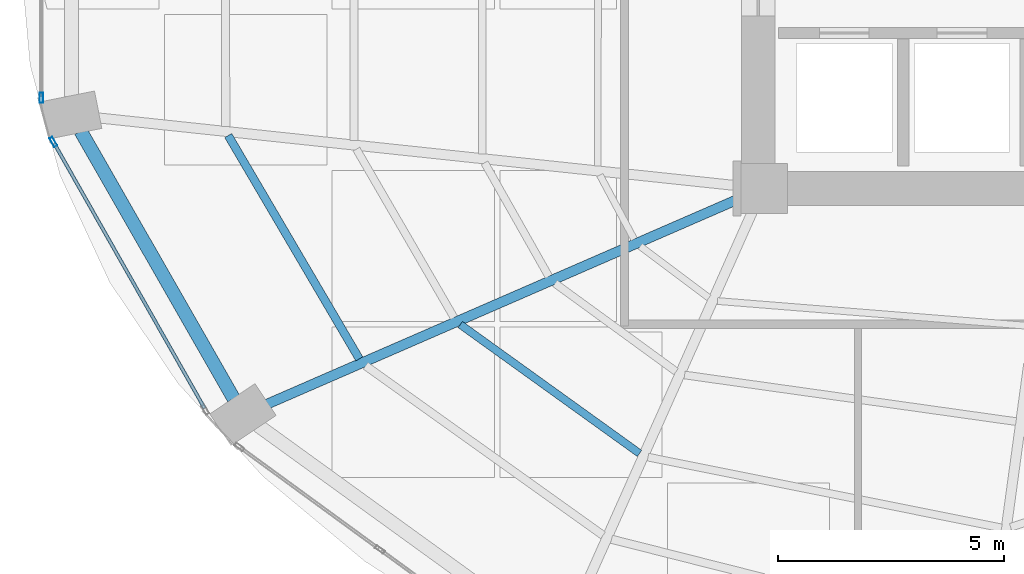
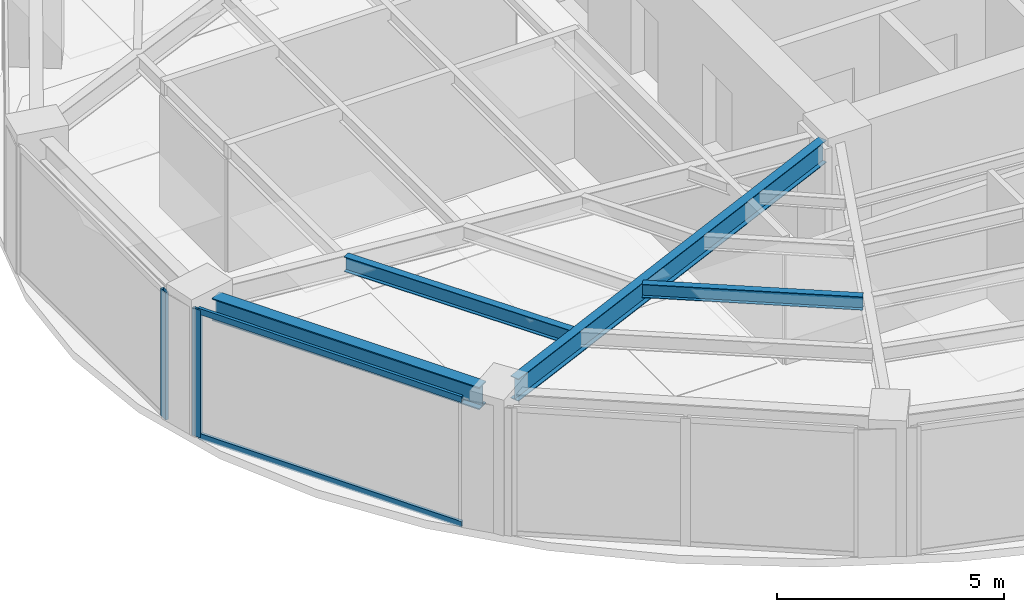
# One storey, part 3 of 23: 4 beams, 4 members, 2 elements without a shape of their own.
"""IFC4 building model written with IfcOpenShell, lengths in metres."""

from ifc_helpers import new_model, si_unit, direction, frame, origin, origin_2d, place, context, subcontext, project, spatial, hollow_rectangle, i_section, extrude, material, layer, layer_set, material_profile, profile_set, type_object, element, aggregate, save


model = new_model("IFC4")

# Units and contexts
model_context = context("Model", 3, precision=1e-05, world=origin(), true_north=direction((0.0, 1.0)))
body_context = subcontext(model_context, "Body", "Model", "MODEL_VIEW")
ifc_project = project(units=[si_unit("LENGTHUNIT", "METRE"), si_unit("AREAUNIT", "SQUARE_METRE"), si_unit("VOLUMEUNIT", "CUBIC_METRE"), si_unit("PLANEANGLEUNIT", "RADIAN"), si_unit("MASSUNIT", "GRAM", prefix="KILO")], contexts=[model_context])

# Site, building, storey
site_placement = place(None, origin())
site = spatial("IfcSite", under=ifc_project, at=site_placement, CompositionType="ELEMENT")
building_placement = place(site_placement, origin())
building = spatial("IfcBuilding", under=site, at=building_placement, Name="Lazwardi Medical Tower", CompositionType="ELEMENT")
storey_placement = place(building_placement, frame((0.0, 0.0, 121.8720703125)))
storey = spatial("IfcBuildingStorey", under=building, at=storey_placement, Name="L31", CompositionType="ELEMENT", Elevation=121.8720703125)

# Beams
ifc_material_1 = material(Name="Steel S355", Category="steel")
ifc_material_profile_1 = material_profile(ifc_material_1, i_section(OverallWidth=0.300048828125, OverallDepth=0.60009765625, WebThickness=0.015380859375, FlangeThickness=0.030029296875, at=origin_2d()), Name="HEB 600")
ifc_profile_set_1 = profile_set([ifc_material_profile_1], Name="Steel S355")
beam_type_1 = type_object("IfcBeamType", Name="BM-RB-Z2", PredefinedType="BEAM", material=ifc_profile_set_1)
beam_1_placement = place(storey_placement, frame((11.3408203125, 21.664306640625, 3.1279296875), z_axis=(0.496637551254, -0.867958030486, 0.0), x_axis=(0.867958030486, 0.496637551254, 0.0)))
element("IfcBeam", 1, at=beam_1_placement, inside=storey, type_object=beam_type_1, Name="Ring beam RB-03 B13 L31", PredefinedType="BEAM", context=body_context, shape_type="SweptSolid", body=[
    extrude(i_section(OverallWidth=0.300048828125, OverallDepth=0.60009765625, WebThickness=0.015380859375, FlangeThickness=0.030029296875, at=origin_2d()), origin(), (0.0, 0.0, 1.0), 6.801025390625),
])
ifc_material_profile_2 = material_profile(ifc_material_1, i_section(OverallWidth=0.219970703125, OverallDepth=0.60009765625, WebThickness=0.011962890625, FlangeThickness=0.01904296875, at=origin_2d()), Name="IPE 600")
ifc_profile_set_2 = profile_set([ifc_material_profile_2], Name="Steel S355")
beam_type_2 = type_object("IfcBeamType", Name="BM-RG-W1", PredefinedType="BEAM", material=ifc_profile_set_2)
beam_2_placement = place(storey_placement, frame((15.4541015625, 15.63671875, 3.1279296875), z_axis=(0.916941336121, 0.399022037127, 0.0), x_axis=(-0.399022037127, 0.916941336121, 0.0)))
element("IfcBeam", 2, at=beam_2_placement, inside=storey, type_object=beam_type_2, Name="Radial girder RG-02 R14 L31", PredefinedType="BEAM", context=body_context, shape_type="SweptSolid", body=[
    extrude(i_section(OverallWidth=0.219970703125, OverallDepth=0.60009765625, WebThickness=0.011962890625, FlangeThickness=0.01904296875, at=origin_2d()), origin(), (0.0, 0.0, 1.0), 11.40234375),
])
ifc_material_profile_3 = material_profile(ifc_material_1, i_section(OverallWidth=0.179931640625, OverallDepth=0.39990234375, WebThickness=0.008544921875, FlangeThickness=0.013427734375, at=origin_2d()), Name="IPE 400")
ifc_profile_set_3 = profile_set([ifc_material_profile_3], Name="Steel S355")
beam_type_3 = type_object("IfcBeamType", Name="BM-SJ-01", PredefinedType="JOIST", material=ifc_profile_set_3)
beam_3_placement = place(storey_placement, frame((14.597900390625, 21.56787109375, 3.22802734375), z_axis=(0.506195045201, -0.862419025888, 0.0), x_axis=(0.862419025888, 0.506195045201, 0.0)))
element("IfcBeam", 3, at=beam_3_placement, inside=storey, type_object=beam_type_3, Name="Secondary joist SJ-01 R1 B13 L31", PredefinedType="JOIST", context=body_context, shape_type="SweptSolid", body=[
    extrude(i_section(OverallWidth=0.179931640625, OverallDepth=0.39990234375, WebThickness=0.008544921875, FlangeThickness=0.013427734375, at=origin_2d()), origin(), (0.0, 0.0, 1.0), 5.71728515625),
])
ifc_material_profile_4 = material_profile(ifc_material_1, i_section(OverallWidth=0.169921875, OverallDepth=0.360107421875, WebThickness=0.008056640625, FlangeThickness=0.0126953125, at=origin_2d()), Name="IPE 360")
ifc_profile_set_4 = profile_set([ifc_material_profile_4], Name="Steel S355")
beam_type_4 = type_object("IfcBeamType", Name="BM-SJ-02", PredefinedType="JOIST", material=ifc_profile_set_4)
beam_4_placement = place(storey_placement, frame((19.721435546875, 17.395263671875, 3.248046875), z_axis=(0.811888517177, -0.583812500446, 0.0), x_axis=(0.583812500446, 0.811888517177, 0.0)))
element("IfcBeam", 4, at=beam_4_placement, inside=storey, type_object=beam_type_4, Name="Secondary joist SJ-02 R2 B14 L31", PredefinedType="JOIST", context=body_context, shape_type="SweptSolid", body=[
    extrude(i_section(OverallWidth=0.169921875, OverallDepth=0.360107421875, WebThickness=0.008056640625, FlangeThickness=0.0126953125, at=origin_2d()), origin(), (0.0, 0.0, 1.0), 4.874755859375),
])

# Curtain wall, member
ifc_material_2 = material(Name="Anodised bronze aluminium and solar control glazing", Category="aluminium")
ifc_layer = layer(ifc_material_2, 0.195068359375)
ifc_layer_set = layer_set([ifc_layer], Name="Anodised bronze aluminium and solar control glazing")
curtain_wall_type = type_object("IfcCurtainWallType", Name="CW-SYS-03", PredefinedType="NOTDEFINED", material=ifc_layer_set)
curtain_wall_1_placement = place(storey_placement, origin())
curtain_wall_1 = element("IfcCurtainWall", 5, at=curtain_wall_1_placement, inside=storey, type_object=curtain_wall_type, Name="L31 Unitised bronze curtain wall CW-03", PredefinedType="NOTDEFINED")
ifc_material_3 = material(Name="Anodised bronze aluminium", Category="aluminium")
ifc_material_profile_5 = material_profile(ifc_material_3, hollow_rectangle(XDim=0.074951171875, YDim=0.219970703125, WallThickness=0.00390625, at=origin_2d()), Name="ALU-MULLION 220x75x4")
ifc_profile_set_5 = profile_set([ifc_material_profile_5], Name="Anodised bronze aluminium")
member_type_1 = type_object("IfcMemberType", Name="CW-MUL-01", PredefinedType="MULLION", material=ifc_profile_set_5)
member_1_placement = place(storey_placement, frame((10.471923828125, 22.402587890625, 0.0), z_axis=(0.0, 0.0, 1.0), x_axis=(1.0, 0.0, 0.0)))
member_1 = element("IfcMember", 6, at=member_1_placement, type_object=member_type_1, Name="CW-03 mullion 2", PredefinedType="MULLION", context=body_context, shape_type="SweptSolid", body=[
    extrude(hollow_rectangle(XDim=0.074951171875, YDim=0.219970703125, WallThickness=0.00390625, at=origin_2d()), origin(), (0.0, 0.0, 1.0), 3.427978515625),
])
aggregate(curtain_wall_1, [member_1])

# Curtain wall, members
curtain_wall_2_placement = place(storey_placement, origin())
curtain_wall_2 = element("IfcCurtainWall", 7, at=curtain_wall_2_placement, inside=storey, type_object=curtain_wall_type, Name="L31 Unitised bronze curtain wall CW-03", PredefinedType="NOTDEFINED")
member_2_placement = place(storey_placement, frame((10.7373046875, 21.42626953125, 0.0), z_axis=(0.0, 0.0, 1.0), x_axis=(0.869687265712, 0.493603140041, 0.0)))
member_2 = element("IfcMember", 8, at=member_2_placement, type_object=member_type_1, Name="CW-03 mullion 1", PredefinedType="MULLION", context=body_context, shape_type="SweptSolid", body=[
    extrude(hollow_rectangle(XDim=0.074951171875, YDim=0.219970703125, WallThickness=0.00390625, at=origin_2d()), origin(), (0.0, 0.0, 1.0), 3.427978515625),
])
ifc_material_profile_6 = material_profile(ifc_material_3, hollow_rectangle(XDim=0.074951171875, YDim=0.159912109375, WallThickness=0.00390625, at=origin_2d()), Name="ALU-TRANSOM 160x75x4")
ifc_profile_set_6 = profile_set([ifc_material_profile_6], Name="Anodised bronze aluminium")
member_type_2 = type_object("IfcMemberType", Name="CW-TRN-01", PredefinedType="USERDEFINED", material=ifc_profile_set_6)
member_3_placement = place(storey_placement, frame((10.755859375, 21.3935546875, 0.037353515625), z_axis=(0.493614427365, -0.869680859337, 0.0), x_axis=(0.869680859337, 0.493614427365, 0.0)))
member_3 = element("IfcMember", 9, at=member_3_placement, type_object=member_type_2, Name="CW-03 transom 1.1", ObjectType="TRANSOM", PredefinedType="USERDEFINED", context=body_context, shape_type="SweptSolid", body=[
    extrude(hollow_rectangle(XDim=0.074951171875, YDim=0.159912109375, WallThickness=0.00390625, at=origin_2d()), origin(), (0.0, 0.0, 1.0), 6.72314453125),
])
member_4_placement = place(storey_placement, frame((10.755859375, 21.3935546875, 3.390380859375), z_axis=(0.493614427365, -0.869680859337, 0.0), x_axis=(0.869680859337, 0.493614427365, 0.0)))
member_4 = element("IfcMember", 10, at=member_4_placement, type_object=member_type_2, Name="CW-03 transom 1.2", ObjectType="TRANSOM", PredefinedType="USERDEFINED", context=body_context, shape_type="SweptSolid", body=[
    extrude(hollow_rectangle(XDim=0.074951171875, YDim=0.159912109375, WallThickness=0.00390625, at=origin_2d()), origin(), (0.0, 0.0, 1.0), 6.72314453125),
])
aggregate(curtain_wall_2, [member_2, member_3, member_4])

save(model, "model.ifc")
